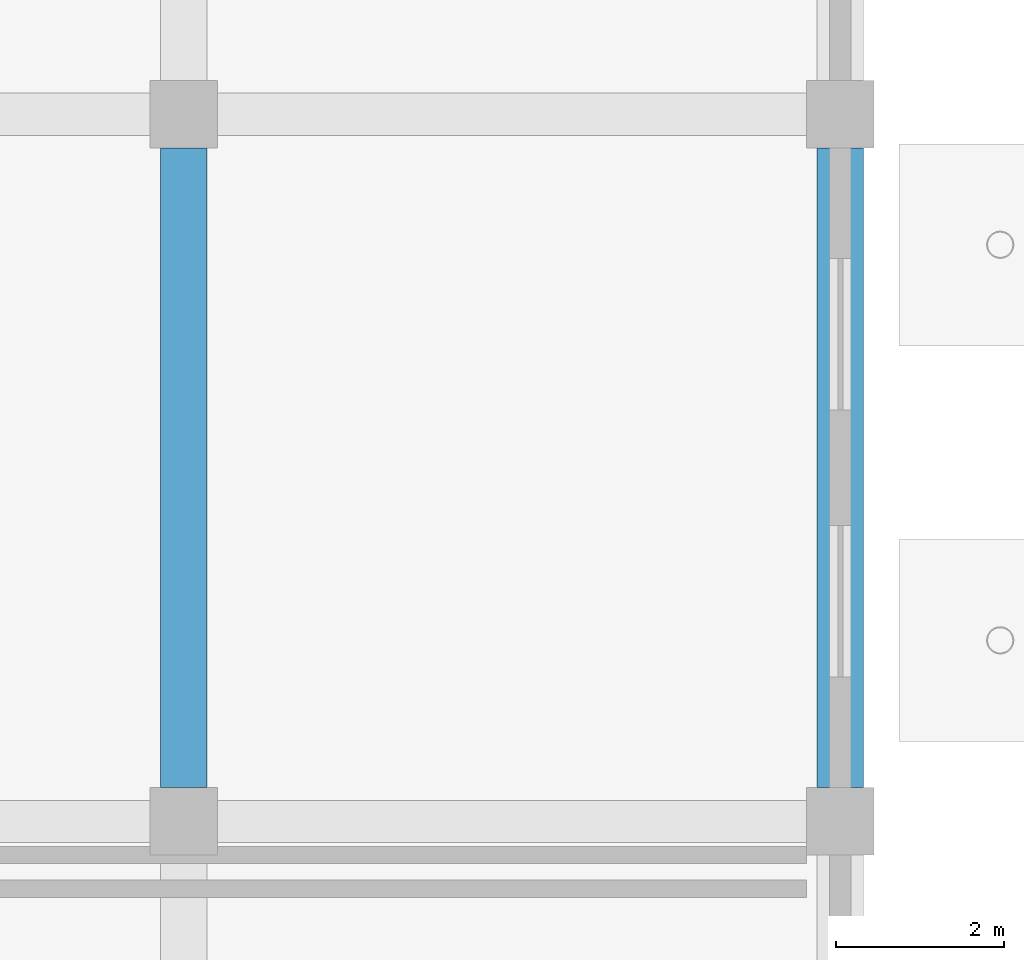
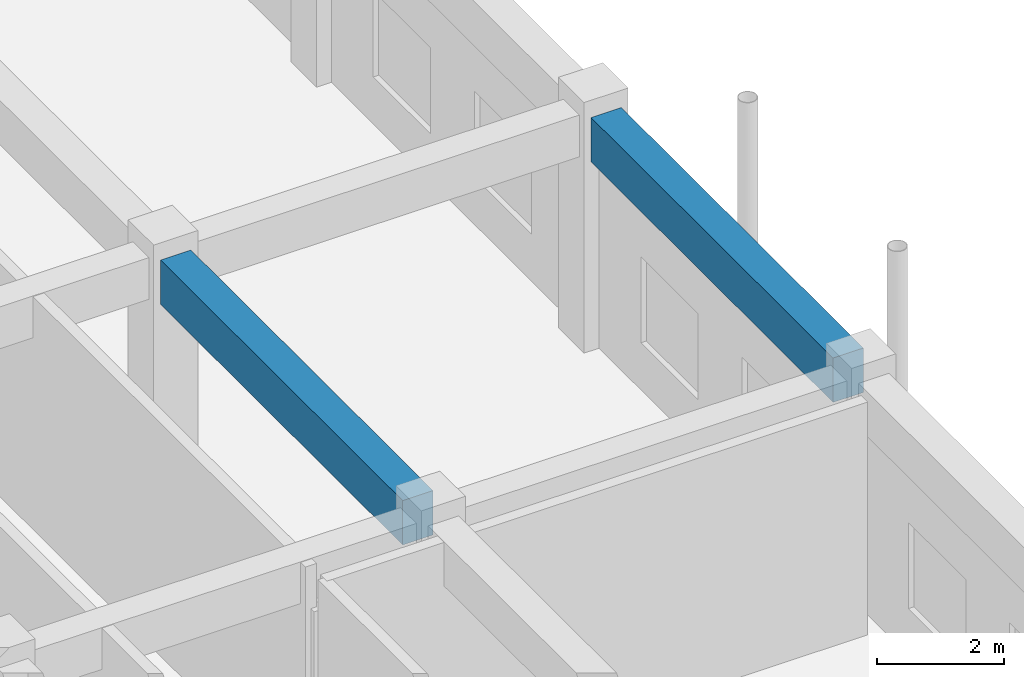
# One storey, part 24 of 139: 2 beams.
"""IFC4 building model written with IfcOpenShell, lengths in metres."""

from ifc_helpers import new_model, si_unit, direction, frame, origin, origin_2d, place, context, subcontext, project, spatial, rectangle, extrude, material, material_profile, profile_set, type_object, element, save


model = new_model("IFC4")

# Units and contexts
model_context = context("Model", 3, precision=1e-05, world=origin(), true_north=direction((0.0, 1.0)))
body_context = subcontext(model_context, "Body", "Model", "MODEL_VIEW")
ifc_project = project(units=[si_unit("LENGTHUNIT", "METRE"), si_unit("AREAUNIT", "SQUARE_METRE"), si_unit("VOLUMEUNIT", "CUBIC_METRE"), si_unit("PLANEANGLEUNIT", "RADIAN"), si_unit("MASSUNIT", "GRAM", prefix="KILO")], contexts=[model_context])

# Site, building, storey
site_placement = place(None, origin())
site = spatial("IfcSite", under=ifc_project, at=site_placement, CompositionType="ELEMENT")
building_placement = place(site_placement, origin())
building = spatial("IfcBuilding", under=site, at=building_placement, Name="Zizhar Promenade General Hospital", CompositionType="ELEMENT")
storey_placement = place(building_placement, origin())
storey = spatial("IfcBuildingStorey", under=building, at=storey_placement, Name="L00", CompositionType="ELEMENT", Elevation=0.0)

# Beams
ifc_material = material(Name="Concrete C35/45", Category="concrete")
ifc_material_profile = material_profile(ifc_material, rectangle(XDim=0.550048828125, YDim=0.85009765625, at=origin_2d()))
ifc_profile_set = profile_set([ifc_material_profile], Name="Concrete C35/45")
beam_type = type_object("IfcBeamType", Name="BM-RC-550x850", PredefinedType="BEAM", material=ifc_profile_set)
for number, where, z_axis, x_axis, name in (
    (1, (62.39990234375, 59.199951171875, 4.044921875), (0.0, 1.0, 0.0), (-1.0, 0.0, 0.0), "Grid Beam Y L00 (8-7)"),
    (2, (70.199951171875, 59.199951171875, 4.044921875), (0.0, 1.0, 0.0), (-1.0, 0.0, 0.0), "Grid Beam Y L00 (9-7)"),
):
    element("IfcBeam", number, at=place(storey_placement, frame(where, z_axis=z_axis, x_axis=x_axis)), inside=storey, type_object=beam_type, Name=name, PredefinedType="BEAM", context=body_context, shape_type="SweptSolid", body=[
        extrude(rectangle(XDim=0.550048828125, YDim=0.85009765625, at=origin_2d()), origin(), (0.0, 0.0, 1.0), 7.60009765625),
    ])

save(model, "model.ifc")
